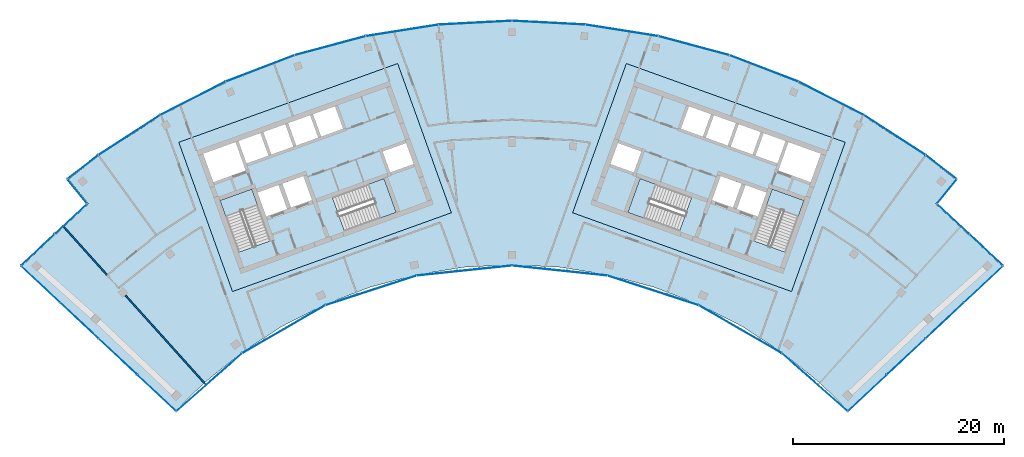
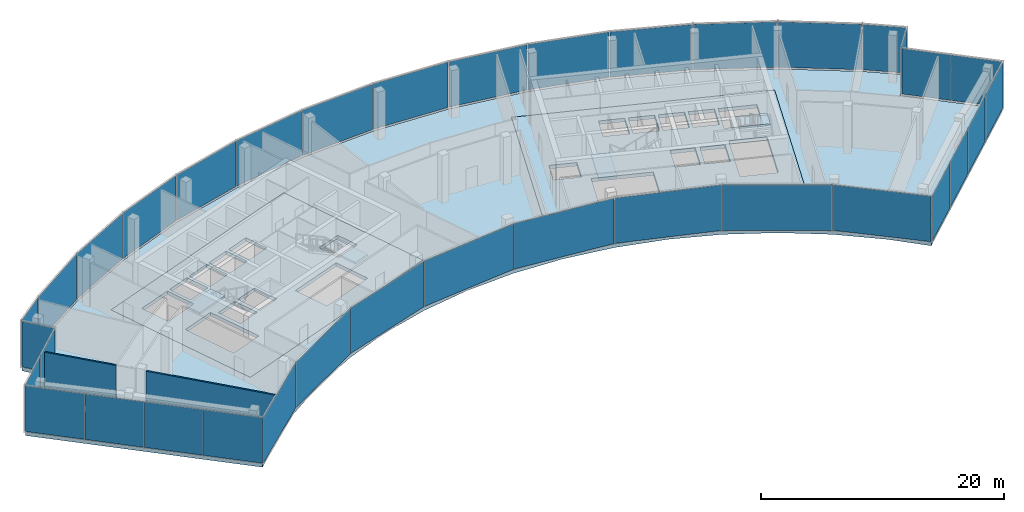
# One storey, part 11 of 17: 36 plates, 7 slabs, 2 walls, 12 elements without a shape of their own.
"""IFC4 building model written with IfcOpenShell, lengths in metres."""

from ifc_helpers import new_model, si_unit, direction, frame, frame_2d, origin, origin_2d, place, context, subcontext, project, spatial, polyline, rectangle, outline, extrude, material, layer, layer_set, type_object, element, aggregate, save


model = new_model("IFC4")

# Units and contexts
model_context = context("Model", 3, precision=1e-05, world=origin(), true_north=direction((0.0, 1.0)))
body_context = subcontext(model_context, "Body", "Model", "MODEL_VIEW")
ifc_project = project(units=[si_unit("LENGTHUNIT", "METRE"), si_unit("AREAUNIT", "SQUARE_METRE"), si_unit("VOLUMEUNIT", "CUBIC_METRE"), si_unit("PLANEANGLEUNIT", "RADIAN"), si_unit("MASSUNIT", "GRAM", prefix="KILO")], contexts=[model_context])

# Site, building, storey
site_placement = place(None, origin())
site = spatial("IfcSite", under=ifc_project, at=site_placement, CompositionType="ELEMENT")
building_placement = place(site_placement, origin())
building = spatial("IfcBuilding", under=site, at=building_placement, Name="Stone Belt Terrace Tower", CompositionType="ELEMENT")
storey_placement = place(building_placement, frame((0.0, 0.0, 313.39990234375)))
storey = spatial("IfcBuildingStorey", under=building, at=storey_placement, Name="L76", CompositionType="ELEMENT", Elevation=313.39990234375)

# Curtain wall, plates
ifc_material_1 = material(Name="Aluminium 6063-T6 anodised frame", Category="aluminium")
ifc_layer_1 = layer(ifc_material_1, 0.14990234375)
ifc_layer_set_1 = layer_set([ifc_layer_1], Name="CW-C stick curtain wall, horn ends and notches")
curtain_wall_type = type_object("IfcCurtainWallType", Name="CW-C stick curtain wall, horn ends and notches", PredefinedType="NOTDEFINED", material=ifc_layer_set_1)
curtain_wall_1_placement = place(storey_placement, origin())
curtain_wall_1 = element("IfcCurtainWall", 1, at=curtain_wall_1_placement, inside=storey, type_object=curtain_wall_type, Name="CW-C concave face L76", PredefinedType="NOTDEFINED")
ifc_material_2 = material(Name="Terracotta coloured glazed ceramic", Category="masonry")
ifc_layer_2 = layer(ifc_material_2, 0.028076171875)
ifc_layer_set_2 = layer_set([ifc_layer_2], Name="CW-C ceramic louvre panel 28")
plate_type = type_object("IfcPlateType", Name="CW-C ceramic louvre panel 28", PredefinedType="CURTAIN_PANEL", material=ifc_layer_set_2)
plate_1_placement = place(storey_placement, frame((-28.625244140625, 32.393798828125, 0.1201171875), z_axis=(0.0, 0.0, 1.0), x_axis=(0.749658646805, 0.661824684694, 0.0)))
plate_1 = element("IfcPlate", 2, at=plate_1_placement, type_object=plate_type, Name="CW-C louvre panel 1.1", PredefinedType="CURTAIN_PANEL", context=body_context, shape_type="SweptSolid", body=[
    extrude(rectangle(XDim=8.197265625, YDim=0.028076171875, at=origin_2d()), origin(), (0.0, 0.0, 1.0), 4.56005859375),
])
plate_2_placement = place(storey_placement, frame((-21.59375, 37.400634765625, 0.1201171875), z_axis=(0.0, 0.0, 1.0), x_axis=(0.866025403784, 0.5, 0.0)))
plate_2 = element("IfcPlate", 3, at=plate_2_placement, type_object=plate_type, Name="CW-C louvre panel 2.1", PredefinedType="CURTAIN_PANEL", context=body_context, shape_type="SweptSolid", body=[
    extrude(rectangle(XDim=9.003662109375, YDim=0.028076171875, at=origin_2d()), origin(), (0.0, 0.0, 1.0), 4.56005859375),
])
plate_3_placement = place(storey_placement, frame((-13.345458984375, 41.072998046875, 0.1201171875), z_axis=(0.0, 0.0, 1.0), x_axis=(0.951056516295, 0.309016994375, 0.0)))
plate_3 = element("IfcPlate", 4, at=plate_3_placement, type_object=plate_type, Name="CW-C louvre panel 3.1", PredefinedType="CURTAIN_PANEL", context=body_context, shape_type="SweptSolid", body=[
    extrude(rectangle(XDim=9.0029296875, YDim=0.028076171875, at=origin_2d()), origin(), (0.0, 0.0, 1.0), 4.56005859375),
])
plate_4_placement = place(storey_placement, frame((-4.51416015625, 42.9501953125, 0.1201171875), z_axis=(0.0, 0.0, 1.0), x_axis=(0.994521895368, 0.104528463268, 0.0)))
plate_4 = element("IfcPlate", 5, at=plate_4_placement, type_object=plate_type, Name="CW-C louvre panel 4.1", PredefinedType="CURTAIN_PANEL", context=body_context, shape_type="SweptSolid", body=[
    extrude(rectangle(XDim=9.0029296875, YDim=0.028076171875, at=origin_2d()), origin(), (0.0, 0.0, 1.0), 4.56005859375),
])
plate_5_placement = place(storey_placement, frame((4.51416015625, 42.9501953125, 0.1201171875), z_axis=(0.0, 0.0, 1.0), x_axis=(0.994521895368, -0.104528463268, 0.0)))
plate_5 = element("IfcPlate", 6, at=plate_5_placement, type_object=plate_type, Name="CW-C louvre panel 5.1", PredefinedType="CURTAIN_PANEL", context=body_context, shape_type="SweptSolid", body=[
    extrude(rectangle(XDim=9.0029296875, YDim=0.028076171875, at=origin_2d()), origin(), (0.0, 0.0, 1.0), 4.56005859375),
])
plate_6_placement = place(storey_placement, frame((13.345458984375, 41.072998046875, 0.1201171875), z_axis=(0.0, 0.0, 1.0), x_axis=(0.951056516295, -0.309016994375, 0.0)))
plate_6 = element("IfcPlate", 7, at=plate_6_placement, type_object=plate_type, Name="CW-C louvre panel 6.1", PredefinedType="CURTAIN_PANEL", context=body_context, shape_type="SweptSolid", body=[
    extrude(rectangle(XDim=9.0029296875, YDim=0.028076171875, at=origin_2d()), origin(), (0.0, 0.0, 1.0), 4.56005859375),
])
plate_7_placement = place(storey_placement, frame((21.59375, 37.400634765625, 0.1201171875), z_axis=(0.0, 0.0, 1.0), x_axis=(0.866025403784, -0.5, 0.0)))
plate_7 = element("IfcPlate", 8, at=plate_7_placement, type_object=plate_type, Name="CW-C louvre panel 7.1", PredefinedType="CURTAIN_PANEL", context=body_context, shape_type="SweptSolid", body=[
    extrude(rectangle(XDim=9.003662109375, YDim=0.028076171875, at=origin_2d()), origin(), (0.0, 0.0, 1.0), 4.56005859375),
])
plate_8_placement = place(storey_placement, frame((28.625244140625, 32.393798828125, 0.1201171875), z_axis=(0.0, 0.0, 1.0), x_axis=(0.749658646805, -0.661824684694, 0.0)))
plate_8 = element("IfcPlate", 9, at=plate_8_placement, type_object=plate_type, Name="CW-C louvre panel 8.1", PredefinedType="CURTAIN_PANEL", context=body_context, shape_type="SweptSolid", body=[
    extrude(rectangle(XDim=8.197265625, YDim=0.028076171875, at=origin_2d()), origin(), (0.0, 0.0, 1.0), 4.56005859375),
])
aggregate(curtain_wall_1, [plate_1, plate_2, plate_3, plate_4, plate_5, plate_6, plate_7, plate_8])

curtain_wall_2_placement = place(storey_placement, origin())
curtain_wall_2 = element("IfcCurtainWall", 10, at=curtain_wall_2_placement, inside=storey, type_object=curtain_wall_type, Name="CW-C end face L76", PredefinedType="NOTDEFINED")
plate_9_placement = place(storey_placement, frame((33.617431640625, 31.3798828125, 0.1201171875), z_axis=(0.0, 0.0, 1.0), x_axis=(0.729904219708, 0.683549434973, 0.0)))
plate_9 = element("IfcPlate", 11, at=plate_9_placement, type_object=plate_type, Name="CW-C louvre panel 1.1", PredefinedType="CURTAIN_PANEL", context=body_context, shape_type="SweptSolid", body=[
    extrude(rectangle(XDim=4.965576171875, YDim=0.028076171875, at=origin_2d()), origin(), (0.0, 0.0, 1.0), 4.56005859375),
])
plate_10_placement = place(storey_placement, frame((37.2763671875, 34.806396484375, 0.1201171875), z_axis=(0.0, 0.0, 1.0), x_axis=(0.729904219708, 0.683549434973, 0.0)))
plate_10 = element("IfcPlate", 12, at=plate_10_placement, type_object=plate_type, Name="CW-C louvre panel 2.1", PredefinedType="CURTAIN_PANEL", context=body_context, shape_type="SweptSolid", body=[
    extrude(rectangle(XDim=4.93994140625, YDim=0.028076171875, at=origin_2d()), origin(), (0.0, 0.0, 1.0), 4.56005859375),
])
plate_11_placement = place(storey_placement, frame((40.92578125, 38.22412109375, 0.1201171875), z_axis=(0.0, 0.0, 1.0), x_axis=(0.729904219708, 0.683549434973, 0.0)))
plate_11 = element("IfcPlate", 13, at=plate_11_placement, type_object=plate_type, Name="CW-C louvre panel 3.1", PredefinedType="CURTAIN_PANEL", context=body_context, shape_type="SweptSolid", body=[
    extrude(rectangle(XDim=4.93994140625, YDim=0.028076171875, at=origin_2d()), origin(), (0.0, 0.0, 1.0), 4.56005859375),
])
plate_12_placement = place(storey_placement, frame((44.588134765625, 41.65380859375, 0.1201171875), z_axis=(0.0, 0.0, 1.0), x_axis=(0.729904219708, 0.683549434973, 0.0)))
plate_12 = element("IfcPlate", 14, at=plate_12_placement, type_object=plate_type, Name="CW-C louvre panel 4.1", PredefinedType="CURTAIN_PANEL", context=body_context, shape_type="SweptSolid", body=[
    extrude(rectangle(XDim=4.974853515625, YDim=0.028076171875, at=origin_2d()), origin(), (0.0, 0.0, 1.0), 4.56005859375),
])
aggregate(curtain_wall_2, [plate_9, plate_10, plate_11, plate_12])

curtain_wall_3_placement = place(storey_placement, origin())
curtain_wall_3 = element("IfcCurtainWall", 15, at=curtain_wall_3_placement, inside=storey, type_object=curtain_wall_type, Name="CW-C notch face L76", PredefinedType="NOTDEFINED")
plate_13_placement = place(storey_placement, frame((44.8427734375, 44.91259765625, 0.1201171875), z_axis=(0.0, 0.0, 1.0), x_axis=(-0.731339333871, 0.682013767261, 0.0)))
plate_13 = element("IfcPlate", 16, at=plate_13_placement, type_object=plate_type, Name="CW-C louvre panel 1.1", PredefinedType="CURTAIN_PANEL", context=body_context, shape_type="SweptSolid", body=[
    extrude(rectangle(XDim=4.268798828125, YDim=0.028076171875, at=origin_2d()), origin(), (0.0, 0.0, 1.0), 4.56005859375),
])
plate_14_placement = place(storey_placement, frame((41.731201171875, 47.814208984375, 0.1201171875), z_axis=(0.0, 0.0, 1.0), x_axis=(-0.731339333871, 0.682013767261, 0.0)))
plate_14 = element("IfcPlate", 17, at=plate_14_placement, type_object=plate_type, Name="CW-C louvre panel 2.1", PredefinedType="CURTAIN_PANEL", context=body_context, shape_type="SweptSolid", body=[
    extrude(rectangle(XDim=4.12060546875, YDim=0.028076171875, at=origin_2d()), origin(), (0.0, 0.0, 1.0), 4.56005859375),
])
aggregate(curtain_wall_3, [plate_13, plate_14])

# Curtain wall, plate
curtain_wall_4_placement = place(storey_placement, origin())
curtain_wall_4 = element("IfcCurtainWall", 18, at=curtain_wall_4_placement, inside=storey, type_object=curtain_wall_type, Name="CW-C notch face L76", PredefinedType="NOTDEFINED")
plate_15_placement = place(storey_placement, frame((41.119140625, 50.43505859375, 0.1201171875), z_axis=(0.0, 0.0, 1.0), x_axis=(0.631001485542, 0.775781622136, 0.0)))
plate_15 = element("IfcPlate", 19, at=plate_15_placement, type_object=plate_type, Name="CW-C louvre panel 1.1", PredefinedType="CURTAIN_PANEL", context=body_context, shape_type="SweptSolid", body=[
    extrude(rectangle(XDim=2.859130859375, YDim=0.028076171875, at=origin_2d()), origin(), (0.0, 0.0, 1.0), 4.56005859375),
])
aggregate(curtain_wall_4, [plate_15])

# Curtain wall, plates
curtain_wall_5_placement = place(storey_placement, origin())
curtain_wall_5 = element("IfcCurtainWall", 20, at=curtain_wall_5_placement, inside=storey, type_object=curtain_wall_type, Name="CW-C convex face L76", PredefinedType="NOTDEFINED")
plate_16_placement = place(storey_placement, frame((40.583251953125, 52.744140625, 0.1201171875), z_axis=(0.0, 0.0, 1.0), x_axis=(-0.792693871824, 0.60961990254, 0.0)))
plate_16 = element("IfcPlate", 21, at=plate_16_placement, type_object=plate_type, Name="CW-C louvre panel 1.1", PredefinedType="CURTAIN_PANEL", context=body_context, shape_type="SweptSolid", body=[
    extrude(rectangle(XDim=3.597900390625, YDim=0.028076171875, at=origin_2d()), origin(), (0.0, 0.0, 1.0), 4.56005859375),
])
plate_17_placement = place(storey_placement, frame((36.209716796875, 55.758056640625, 0.1201171875), z_axis=(0.0, 0.0, 1.0), x_axis=(-0.838670567945, 0.544639035015, 0.0)))
plate_17 = element("IfcPlate", 22, at=plate_17_placement, type_object=plate_type, Name="CW-C louvre panel 2.1", PredefinedType="CURTAIN_PANEL", context=body_context, shape_type="SweptSolid", body=[
    extrude(rectangle(XDim=6.900634765625, YDim=0.028076171875, at=origin_2d()), origin(), (0.0, 0.0, 1.0), 4.56005859375),
])
plate_18_placement = place(storey_placement, frame((30.18310546875, 59.237548828125, 0.1201171875), z_axis=(0.0, 0.0, 1.0), x_axis=(-0.891006524188, 0.45399049974, 0.0)))
plate_18 = element("IfcPlate", 23, at=plate_18_placement, type_object=plate_type, Name="CW-C louvre panel 3.1", PredefinedType="CURTAIN_PANEL", context=body_context, shape_type="SweptSolid", body=[
    extrude(rectangle(XDim=6.90087890625, YDim=0.028076171875, at=origin_2d()), origin(), (0.0, 0.0, 1.0), 4.56005859375),
])
plate_19_placement = place(storey_placement, frame((23.82568359375, 62.068115234375, 0.1201171875), z_axis=(0.0, 0.0, 1.0), x_axis=(-0.933580426497, 0.358367949545, 0.0)))
plate_19 = element("IfcPlate", 24, at=plate_19_placement, type_object=plate_type, Name="CW-C louvre panel 4.1", PredefinedType="CURTAIN_PANEL", context=body_context, shape_type="SweptSolid", body=[
    extrude(rectangle(XDim=6.90087890625, YDim=0.028076171875, at=origin_2d()), origin(), (0.0, 0.0, 1.0), 4.56005859375),
])
plate_20_placement = place(storey_placement, frame((17.207275390625, 64.218505859375, 0.1201171875), z_axis=(0.0, 0.0, 1.0), x_axis=(-0.965925826289, 0.258819045103, 0.0)))
plate_20 = element("IfcPlate", 25, at=plate_20_placement, type_object=plate_type, Name="CW-C louvre panel 5.1", PredefinedType="CURTAIN_PANEL", context=body_context, shape_type="SweptSolid", body=[
    extrude(rectangle(XDim=6.90087890625, YDim=0.028076171875, at=origin_2d()), origin(), (0.0, 0.0, 1.0), 4.56005859375),
])
plate_21_placement = place(storey_placement, frame((10.400390625, 65.665283203125, 0.1201171875), z_axis=(0.0, 0.0, 1.0), x_axis=(-0.987688340595, 0.15643446504, 0.0)))
plate_21 = element("IfcPlate", 26, at=plate_21_placement, type_object=plate_type, Name="CW-C louvre panel 6.1", PredefinedType="CURTAIN_PANEL", context=body_context, shape_type="SweptSolid", body=[
    extrude(rectangle(XDim=6.90087890625, YDim=0.028076171875, at=origin_2d()), origin(), (0.0, 0.0, 1.0), 4.56005859375),
])
plate_22_placement = place(storey_placement, frame((3.4794921875, 66.392822265625, 0.1201171875), z_axis=(0.0, 0.0, 1.0), x_axis=(-0.998629534755, 0.052335956243, 0.0)))
plate_22 = element("IfcPlate", 27, at=plate_22_placement, type_object=plate_type, Name="CW-C louvre panel 7.1", PredefinedType="CURTAIN_PANEL", context=body_context, shape_type="SweptSolid", body=[
    extrude(rectangle(XDim=6.90087890625, YDim=0.028076171875, at=origin_2d()), origin(), (0.0, 0.0, 1.0), 4.56005859375),
])
plate_23_placement = place(storey_placement, frame((-3.4794921875, 66.392822265625, 0.1201171875), z_axis=(0.0, 0.0, 1.0), x_axis=(-0.998629534755, -0.052335956243, 0.0)))
plate_23 = element("IfcPlate", 28, at=plate_23_placement, type_object=plate_type, Name="CW-C louvre panel 8.1", PredefinedType="CURTAIN_PANEL", context=body_context, shape_type="SweptSolid", body=[
    extrude(rectangle(XDim=6.90087890625, YDim=0.028076171875, at=origin_2d()), origin(), (0.0, 0.0, 1.0), 4.56005859375),
])
plate_24_placement = place(storey_placement, frame((-10.400390625, 65.665283203125, 0.1201171875), z_axis=(0.0, 0.0, 1.0), x_axis=(-0.987688340595, -0.15643446504, 0.0)))
plate_24 = element("IfcPlate", 29, at=plate_24_placement, type_object=plate_type, Name="CW-C louvre panel 9.1", PredefinedType="CURTAIN_PANEL", context=body_context, shape_type="SweptSolid", body=[
    extrude(rectangle(XDim=6.90087890625, YDim=0.028076171875, at=origin_2d()), origin(), (0.0, 0.0, 1.0), 4.56005859375),
])
plate_25_placement = place(storey_placement, frame((-17.207275390625, 64.218505859375, 0.1201171875), z_axis=(0.0, 0.0, 1.0), x_axis=(-0.965925826289, -0.258819045103, 0.0)))
plate_25 = element("IfcPlate", 30, at=plate_25_placement, type_object=plate_type, Name="CW-C louvre panel 10.1", PredefinedType="CURTAIN_PANEL", context=body_context, shape_type="SweptSolid", body=[
    extrude(rectangle(XDim=6.90087890625, YDim=0.028076171875, at=origin_2d()), origin(), (0.0, 0.0, 1.0), 4.56005859375),
])
plate_26_placement = place(storey_placement, frame((-23.82568359375, 62.068115234375, 0.1201171875), z_axis=(0.0, 0.0, 1.0), x_axis=(-0.933580426497, -0.358367949545, 0.0)))
plate_26 = element("IfcPlate", 31, at=plate_26_placement, type_object=plate_type, Name="CW-C louvre panel 11.1", PredefinedType="CURTAIN_PANEL", context=body_context, shape_type="SweptSolid", body=[
    extrude(rectangle(XDim=6.90087890625, YDim=0.028076171875, at=origin_2d()), origin(), (0.0, 0.0, 1.0), 4.56005859375),
])
plate_27_placement = place(storey_placement, frame((-30.18310546875, 59.237548828125, 0.1201171875), z_axis=(0.0, 0.0, 1.0), x_axis=(-0.891006524188, -0.45399049974, 0.0)))
plate_27 = element("IfcPlate", 32, at=plate_27_placement, type_object=plate_type, Name="CW-C louvre panel 12.1", PredefinedType="CURTAIN_PANEL", context=body_context, shape_type="SweptSolid", body=[
    extrude(rectangle(XDim=6.90087890625, YDim=0.028076171875, at=origin_2d()), origin(), (0.0, 0.0, 1.0), 4.56005859375),
])
plate_28_placement = place(storey_placement, frame((-36.209716796875, 55.758056640625, 0.1201171875), z_axis=(0.0, 0.0, 1.0), x_axis=(-0.838670567945, -0.544639035015, 0.0)))
plate_28 = element("IfcPlate", 33, at=plate_28_placement, type_object=plate_type, Name="CW-C louvre panel 13.1", PredefinedType="CURTAIN_PANEL", context=body_context, shape_type="SweptSolid", body=[
    extrude(rectangle(XDim=6.900634765625, YDim=0.028076171875, at=origin_2d()), origin(), (0.0, 0.0, 1.0), 4.56005859375),
])
plate_29_placement = place(storey_placement, frame((-40.583251953125, 52.744140625, 0.1201171875), z_axis=(0.0, 0.0, 1.0), x_axis=(-0.792693871824, -0.60961990254, 0.0)))
plate_29 = element("IfcPlate", 34, at=plate_29_placement, type_object=plate_type, Name="CW-C louvre panel 14.1", PredefinedType="CURTAIN_PANEL", context=body_context, shape_type="SweptSolid", body=[
    extrude(rectangle(XDim=3.597900390625, YDim=0.028076171875, at=origin_2d()), origin(), (0.0, 0.0, 1.0), 4.56005859375),
])
aggregate(curtain_wall_5, [plate_16, plate_17, plate_18, plate_19, plate_20, plate_21, plate_22, plate_23, plate_24, plate_25, plate_26, plate_27, plate_28, plate_29])

# Curtain wall, plate
curtain_wall_6_placement = place(storey_placement, origin())
curtain_wall_6 = element("IfcCurtainWall", 35, at=curtain_wall_6_placement, inside=storey, type_object=curtain_wall_type, Name="CW-C notch face L76", PredefinedType="NOTDEFINED")
plate_30_placement = place(storey_placement, frame((-41.119140625, 50.43505859375, 0.1201171875), z_axis=(0.0, 0.0, 1.0), x_axis=(0.631001485542, -0.775781622136, 0.0)))
plate_30 = element("IfcPlate", 36, at=plate_30_placement, type_object=plate_type, Name="CW-C louvre panel 1.1", PredefinedType="CURTAIN_PANEL", context=body_context, shape_type="SweptSolid", body=[
    extrude(rectangle(XDim=2.859130859375, YDim=0.028076171875, at=origin_2d()), origin(), (0.0, 0.0, 1.0), 4.56005859375),
])
aggregate(curtain_wall_6, [plate_30])

# Curtain wall, plates
curtain_wall_7_placement = place(storey_placement, origin())
curtain_wall_7 = element("IfcCurtainWall", 37, at=curtain_wall_7_placement, inside=storey, type_object=curtain_wall_type, Name="CW-C notch face L76", PredefinedType="NOTDEFINED")
plate_31_placement = place(storey_placement, frame((-41.731201171875, 47.814208984375, 0.1201171875), z_axis=(0.0, 0.0, 1.0), x_axis=(-0.731339333871, -0.682013767261, 0.0)))
plate_31 = element("IfcPlate", 38, at=plate_31_placement, type_object=plate_type, Name="CW-C louvre panel 1.1", PredefinedType="CURTAIN_PANEL", context=body_context, shape_type="SweptSolid", body=[
    extrude(rectangle(XDim=4.12060546875, YDim=0.028076171875, at=origin_2d()), origin(), (0.0, 0.0, 1.0), 4.56005859375),
])
plate_32_placement = place(storey_placement, frame((-44.8427734375, 44.91259765625, 0.1201171875), z_axis=(0.0, 0.0, 1.0), x_axis=(-0.731339333871, -0.682013767261, 0.0)))
plate_32 = element("IfcPlate", 39, at=plate_32_placement, type_object=plate_type, Name="CW-C louvre panel 2.1", PredefinedType="CURTAIN_PANEL", context=body_context, shape_type="SweptSolid", body=[
    extrude(rectangle(XDim=4.268798828125, YDim=0.028076171875, at=origin_2d()), origin(), (0.0, 0.0, 1.0), 4.56005859375),
])
aggregate(curtain_wall_7, [plate_31, plate_32])

curtain_wall_8_placement = place(storey_placement, origin())
curtain_wall_8 = element("IfcCurtainWall", 40, at=curtain_wall_8_placement, inside=storey, type_object=curtain_wall_type, Name="CW-C end face L76", PredefinedType="NOTDEFINED")
plate_33_placement = place(storey_placement, frame((-44.588134765625, 41.65380859375, 0.1201171875), z_axis=(0.0, 0.0, 1.0), x_axis=(0.729904219708, -0.683549434973, 0.0)))
plate_33 = element("IfcPlate", 41, at=plate_33_placement, type_object=plate_type, Name="CW-C louvre panel 1.1", PredefinedType="CURTAIN_PANEL", context=body_context, shape_type="SweptSolid", body=[
    extrude(rectangle(XDim=4.974853515625, YDim=0.028076171875, at=origin_2d()), origin(), (0.0, 0.0, 1.0), 4.56005859375),
])
plate_34_placement = place(storey_placement, frame((-40.92578125, 38.22412109375, 0.1201171875), z_axis=(0.0, 0.0, 1.0), x_axis=(0.729904219708, -0.683549434973, 0.0)))
plate_34 = element("IfcPlate", 42, at=plate_34_placement, type_object=plate_type, Name="CW-C louvre panel 2.1", PredefinedType="CURTAIN_PANEL", context=body_context, shape_type="SweptSolid", body=[
    extrude(rectangle(XDim=4.93994140625, YDim=0.028076171875, at=origin_2d()), origin(), (0.0, 0.0, 1.0), 4.56005859375),
])
plate_35_placement = place(storey_placement, frame((-37.2763671875, 34.806396484375, 0.1201171875), z_axis=(0.0, 0.0, 1.0), x_axis=(0.729904219708, -0.683549434973, 0.0)))
plate_35 = element("IfcPlate", 43, at=plate_35_placement, type_object=plate_type, Name="CW-C louvre panel 3.1", PredefinedType="CURTAIN_PANEL", context=body_context, shape_type="SweptSolid", body=[
    extrude(rectangle(XDim=4.93994140625, YDim=0.028076171875, at=origin_2d()), origin(), (0.0, 0.0, 1.0), 4.56005859375),
])
plate_36_placement = place(storey_placement, frame((-33.617431640625, 31.3798828125, 0.1201171875), z_axis=(0.0, 0.0, 1.0), x_axis=(0.729904219708, -0.683549434973, 0.0)))
plate_36 = element("IfcPlate", 44, at=plate_36_placement, type_object=plate_type, Name="CW-C louvre panel 4.1", PredefinedType="CURTAIN_PANEL", context=body_context, shape_type="SweptSolid", body=[
    extrude(rectangle(XDim=4.965576171875, YDim=0.028076171875, at=origin_2d()), origin(), (0.0, 0.0, 1.0), 4.56005859375),
])
aggregate(curtain_wall_8, [plate_33, plate_34, plate_35, plate_36])

# Slabs
ifc_material_3 = material(Name="Concrete B40", Category="concrete")
ifc_layer_3 = layer(ifc_material_3, 0.35009765625)
ifc_layer_set_3 = layer_set([ifc_layer_3], Name="Core floor slab 350")
slab_type_1 = type_object("IfcSlabType", Name="Core floor slab 350", PredefinedType="FLOOR", material=ifc_layer_set_3)
slab_1_placement = place(storey_placement, frame((0.0, 0.0, -0.349853515625)))
element("IfcSlab", 45, at=slab_1_placement, inside=storey, type_object=slab_type_1, Name="Core A floor L76", PredefinedType="FLOOR", context=body_context, shape_type="SweptSolid", body=[
    extrude(outline(polyline([(-26.43505859375, 40.968994140625), (-5.735107421875, 48.4189453125), (-10.81396484375, 62.531982421875), (-31.513916015625, 55.0830078125), (-26.43505859375, 40.968994140625)]), holes=[polyline([(-24.60791015625, 50.659912109375), (-22.847900390625, 45.76806640625), (-25.85888671875, 44.68408203125), (-27.618896484375, 49.575927734375), (-24.60791015625, 50.659912109375)]), polyline([(-10.955078125, 48.452880859375), (-15.846923828125, 46.69189453125), (-16.998046875, 49.89208984375), (-12.10595703125, 51.652099609375), (-10.955078125, 48.452880859375)]), polyline([(-22.0869140625, 51.035888671875), (-21.27392578125, 48.778076171875), (-23.25, 48.06689453125), (-24.06298828125, 50.324951171875), (-22.0869140625, 51.035888671875)]), polyline([(-18.922119140625, 49.6240234375), (-20.89794921875, 48.9130859375), (-21.7109375, 51.1708984375), (-19.735107421875, 51.883056640625), (-18.922119140625, 49.6240234375)]), polyline([(-29.2109375, 53.9990234375), (-26.153076171875, 55.09912109375), (-25.18798828125, 52.41796875), (-28.24609375, 51.31689453125), (-29.2109375, 53.9990234375)]), polyline([(-10.01904296875, 55.007080078125), (-9.30810546875, 53.031005859375), (-11.51904296875, 52.235107421875), (-12.22998046875, 54.2109375), (-10.01904296875, 55.007080078125)]), polyline([(-25.87109375, 55.200927734375), (-23.801025390625, 55.946044921875), (-23.0390625, 53.8291015625), (-25.10888671875, 53.083984375), (-25.87109375, 55.200927734375)]), polyline([(-23.51806640625, 56.047119140625), (-21.447998046875, 56.7919921875), (-20.68603515625, 54.675048828125), (-22.756103515625, 53.929931640625), (-23.51806640625, 56.047119140625)]), polyline([(-19.095947265625, 57.638916015625), (-18.333984375, 55.52197265625), (-20.404052734375, 54.777099609375), (-21.166015625, 56.89404296875), (-19.095947265625, 57.638916015625)]), polyline([(-16.743896484375, 58.485107421875), (-15.98193359375, 56.367919921875), (-18.052001953125, 55.623046875), (-18.81396484375, 57.739990234375), (-16.743896484375, 58.485107421875)])]), origin(), (0.0, 0.0, 1.0), 0.349853515625),
])
slab_2_placement = place(storey_placement, frame((0.0, 0.0, -0.349853515625)))
element("IfcSlab", 46, at=slab_2_placement, inside=storey, type_object=slab_type_1, Name="Core B floor L76", PredefinedType="FLOOR", context=body_context, shape_type="SweptSolid", body=[
    extrude(outline(polyline([(26.43505859375, 40.968994140625), (31.513916015625, 55.0830078125), (10.81396484375, 62.531982421875), (5.735107421875, 48.4189453125), (26.43505859375, 40.968994140625)]), holes=[polyline([(27.618896484375, 49.575927734375), (25.85888671875, 44.68408203125), (22.847900390625, 45.76806640625), (24.60791015625, 50.659912109375), (27.618896484375, 49.575927734375)]), polyline([(12.10595703125, 51.652099609375), (16.998046875, 49.89208984375), (15.846923828125, 46.69189453125), (10.955078125, 48.452880859375), (12.10595703125, 51.652099609375)]), polyline([(23.25, 48.06689453125), (21.27392578125, 48.778076171875), (22.0869140625, 51.035888671875), (24.06298828125, 50.324951171875), (23.25, 48.06689453125)]), polyline([(18.922119140625, 49.6240234375), (19.735107421875, 51.883056640625), (21.7109375, 51.1708984375), (20.89794921875, 48.9130859375), (18.922119140625, 49.6240234375)]), polyline([(29.2109375, 53.9990234375), (28.24609375, 51.31689453125), (25.18798828125, 52.41796875), (26.153076171875, 55.09912109375), (29.2109375, 53.9990234375)]), polyline([(11.51904296875, 52.235107421875), (9.30810546875, 53.031005859375), (10.01904296875, 55.007080078125), (12.22998046875, 54.2109375), (11.51904296875, 52.235107421875)]), polyline([(23.0390625, 53.8291015625), (23.801025390625, 55.946044921875), (25.87109375, 55.200927734375), (25.10888671875, 53.083984375), (23.0390625, 53.8291015625)]), polyline([(20.68603515625, 54.675048828125), (21.447998046875, 56.7919921875), (23.51806640625, 56.047119140625), (22.756103515625, 53.929931640625), (20.68603515625, 54.675048828125)]), polyline([(19.095947265625, 57.638916015625), (21.166015625, 56.89404296875), (20.404052734375, 54.777099609375), (18.333984375, 55.52197265625), (19.095947265625, 57.638916015625)]), polyline([(16.743896484375, 58.485107421875), (18.81396484375, 57.739990234375), (18.052001953125, 55.623046875), (15.98193359375, 56.367919921875), (16.743896484375, 58.485107421875)])]), origin(), (0.0, 0.0, 1.0), 0.349853515625),
])
ifc_layer_4 = layer(ifc_material_3, 0.35009765625)
ifc_layer_set_4 = layer_set([ifc_layer_4], Name="Floor slab 350 B40")
slab_type_2 = type_object("IfcSlabType", Name="Floor slab 350 B40", PredefinedType="FLOOR", material=ifc_layer_set_4)
slab_3_placement = place(storey_placement, frame((0.0, 0.0, -0.349853515625)))
element("IfcSlab", 47, at=slab_3_placement, inside=storey, type_object=slab_type_2, Name="Floor slab L76", PredefinedType="FLOOR", context=body_context, shape_type="SweptSolid", body=[
    extrude(outline(polyline([(-40.068603515625, 49.26220703125), (-41.961669921875, 51.589599609375), (-39.087646484375, 53.799560546875), (-33.25, 57.5908203125), (-27.048095703125, 60.750732421875), (-20.549560546875, 63.245361328125), (-13.826171875, 65.046875), (-6.951171875, 66.1357421875), (0.0, 66.5), (6.951171875, 66.1357421875), (13.826171875, 65.046875), (20.549560546875, 63.245361328125), (27.048095703125, 60.750732421875), (33.25, 57.5908203125), (39.087646484375, 53.799560546875), (41.961669921875, 51.589599609375), (40.068603515625, 49.26220703125), (46.348876953125, 43.405517578125), (31.750732421875, 29.734375), (29.107177734375, 32.326904296875), (25.568603515625, 35.192138671875), (21.75, 37.672119140625), (17.693115234375, 39.7392578125), (13.442138671875, 41.37109375), (9.044189453125, 42.54931640625), (4.547119140625, 43.26171875), (0.0, 43.5), (-4.547119140625, 43.26171875), (-9.044189453125, 42.54931640625), (-13.442138671875, 41.37109375), (-17.693115234375, 39.7392578125), (-21.75, 37.672119140625), (-25.568603515625, 35.192138671875), (-29.107177734375, 32.326904296875), (-31.750732421875, 29.734375), (-46.348876953125, 43.405517578125), (-40.068603515625, 49.26220703125)]), holes=[polyline([(-10.81396484375, 62.532470703125), (-31.51416015625, 55.082763671875), (-26.434814453125, 40.968994140625), (-5.734619140625, 48.418701171875), (-10.81396484375, 62.532470703125)]), polyline([(26.434814453125, 40.968994140625), (31.51416015625, 55.082763671875), (10.81396484375, 62.532470703125), (5.734619140625, 48.418701171875), (26.434814453125, 40.968994140625)])]), origin(), (0.0, 0.0, 1.0), 0.349853515625),
])

# Stair, slab
stair_type = type_object("IfcStairType", Name="Exit stair 1500", PredefinedType="HALF_TURN_STAIR", material=ifc_material_3)
stair_1_placement = place(storey_placement, origin())
stair_1 = element("IfcStair", 48, at=stair_1_placement, inside=storey, type_object=stair_type, Name="L76 Exit stair 1 core A", PredefinedType="HALF_TURN_STAIR")
ifc_layer_5 = layer(ifc_material_3, 0.199951171875)
ifc_layer_set_5 = layer_set([ifc_layer_5], Name="Stair landing 200")
slab_type_3 = type_object("IfcSlabType", Name="Stair landing 200", PredefinedType="LANDING", material=ifc_layer_set_5)
slab_4_placement = place(storey_placement, frame((0.0, 0.0, 2.2001953125)))
slab_4 = element("IfcSlab", 49, at=slab_4_placement, type_object=slab_type_3, Name="ST1A landing 1", PredefinedType="LANDING", context=body_context, shape_type="SweptSolid", body=[
    extrude(outline(polyline([(-24.080078125, 49.191162109375), (-24.6083984375, 50.659912109375), (-27.619384765625, 49.576171875), (-27.0908203125, 48.107666015625), (-24.080078125, 49.191162109375)])), origin(), (0.0, 0.0, 1.0), 0.199951171875),
])
aggregate(stair_1, [slab_4])

stair_2_placement = place(storey_placement, origin())
stair_2 = element("IfcStair", 50, at=stair_2_placement, inside=storey, type_object=stair_type, Name="L76 Exit stair 2 core A", PredefinedType="HALF_TURN_STAIR")
slab_5_placement = place(storey_placement, frame((0.0, 0.0, 2.2001953125)))
slab_5 = element("IfcSlab", 51, at=slab_5_placement, type_object=slab_type_3, Name="ST2A landing 1", PredefinedType="LANDING", context=body_context, shape_type="SweptSolid", body=[
    extrude(outline(polyline([(-12.423095703125, 47.924560546875), (-10.95458984375, 48.453125), (-12.10595703125, 51.652099609375), (-13.574462890625, 51.12353515625), (-12.423095703125, 47.924560546875)])), origin(), (0.0, 0.0, 1.0), 0.199951171875),
])
aggregate(stair_2, [slab_5])

stair_3_placement = place(storey_placement, origin())
stair_3 = element("IfcStair", 52, at=stair_3_placement, inside=storey, type_object=stair_type, Name="L76 Exit stair 1 core B", PredefinedType="HALF_TURN_STAIR")
slab_6_placement = place(storey_placement, frame((0.0, 0.0, 2.2001953125)))
slab_6 = element("IfcSlab", 53, at=slab_6_placement, type_object=slab_type_3, Name="ST1B landing 1", PredefinedType="LANDING", context=body_context, shape_type="SweptSolid", body=[
    extrude(outline(polyline([(27.0908203125, 48.107666015625), (27.619384765625, 49.576171875), (24.6083984375, 50.659912109375), (24.080078125, 49.191162109375), (27.0908203125, 48.107666015625)])), origin(), (0.0, 0.0, 1.0), 0.199951171875),
])
aggregate(stair_3, [slab_6])

stair_4_placement = place(storey_placement, origin())
stair_4 = element("IfcStair", 54, at=stair_4_placement, inside=storey, type_object=stair_type, Name="L76 Exit stair 2 core B", PredefinedType="HALF_TURN_STAIR")
slab_7_placement = place(storey_placement, frame((0.0, 0.0, 2.2001953125)))
slab_7 = element("IfcSlab", 55, at=slab_7_placement, type_object=slab_type_3, Name="ST2B landing 1", PredefinedType="LANDING", context=body_context, shape_type="SweptSolid", body=[
    extrude(outline(polyline([(13.574462890625, 51.12353515625), (12.10595703125, 51.652099609375), (10.95458984375, 48.453125), (12.423095703125, 47.924560546875), (13.574462890625, 51.12353515625)])), origin(), (0.0, 0.0, 1.0), 0.199951171875),
])
aggregate(stair_4, [slab_7])

# Walls
ifc_material_4 = material(Name="Gypsum board partition")
ifc_layer_6 = layer(ifc_material_4, 0.14990234375)
ifc_layer_set_6 = layer_set([ifc_layer_6], Name="PARTITION 150 EI 60")
wall_type = type_object("IfcWallType", Name="PARTITION 150 EI 60", PredefinedType="PARTITIONING", material=ifc_layer_set_6)
wall_1_placement = place(storey_placement, frame((-36.54833984375, 40.59033203125, 0.0), z_axis=(0.0, 0.0, 1.0), x_axis=(0.669118511668, -0.743155715407, 0.0)))
element("IfcWall", 56, at=wall_1_placement, inside=storey, type_object=wall_type, Name="L76/wall/i029", PredefinedType="PARTITIONING", context=body_context, shape_type="SweptSolid", body=[
    extrude(rectangle(XDim=11.31396484375, YDim=0.14990234375, at=frame_2d((5.656982421875, 0.0))), origin(), (0.0, 0.0, 1.0), 4.4501953125),
])
wall_2_placement = place(storey_placement, frame((-42.39892578125, 47.08837890625, 0.0), z_axis=(0.0, 0.0, 1.0), x_axis=(0.669070076375, -0.743199322457, 0.0)))
element("IfcWall", 57, at=wall_2_placement, inside=storey, type_object=wall_type, Name="L76/wall/i030", PredefinedType="PARTITIONING", context=body_context, shape_type="SweptSolid", body=[
    extrude(rectangle(XDim=6.1455078125, YDim=0.14990234375, at=frame_2d((3.07275390625, 0.0))), origin(), (0.0, 0.0, 1.0), 4.4501953125),
])

save(model, "model.ifc")
